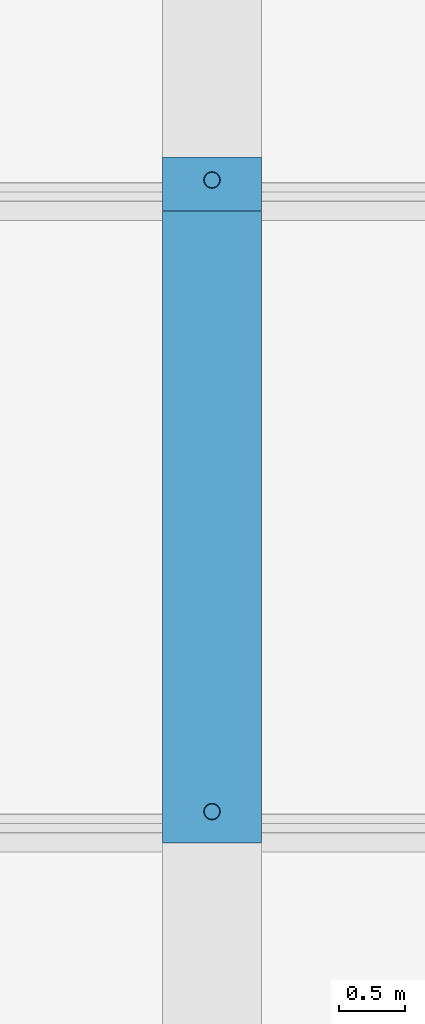
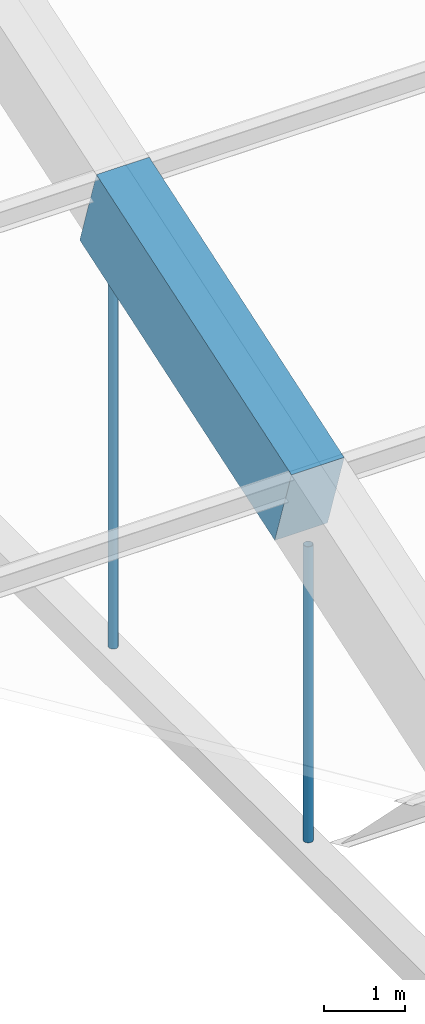
# One storey, part 12 of 149: 2 members, 1 beam.
"""IFC4 building model written with IfcOpenShell, lengths in metres."""

from ifc_helpers import new_model, si_unit, direction, frame, origin, origin_2d, place, context, subcontext, project, spatial, rectangle, hollow_circle, extrude, material, material_profile, profile_set, type_object, element, save


model = new_model("IFC4")

# Units and contexts
model_context = context("Model", 3, precision=1e-05, world=origin(), true_north=direction((0.0, 1.0)))
body_context = subcontext(model_context, "Body", "Model", "MODEL_VIEW")
ifc_project = project(units=[si_unit("LENGTHUNIT", "METRE"), si_unit("AREAUNIT", "SQUARE_METRE"), si_unit("VOLUMEUNIT", "CUBIC_METRE"), si_unit("PLANEANGLEUNIT", "RADIAN"), si_unit("MASSUNIT", "GRAM", prefix="KILO")], contexts=[model_context])

# Site, building, storey
site_placement = place(None, origin())
site = spatial("IfcSite", under=ifc_project, at=site_placement, CompositionType="ELEMENT")
building_placement = place(site_placement, origin())
building = spatial("IfcBuilding", under=site, at=building_placement, Name="Alderwick Market Hall", CompositionType="ELEMENT")
storey_placement = place(building_placement, frame((0.0, 0.0, 9.60009765625)))
storey = spatial("IfcBuildingStorey", under=building, at=storey_placement, Name="L01", CompositionType="ELEMENT", Elevation=9.60009765625)

# Beam
ifc_material_1 = material(Name="Concrete 5000 psi (f'c 35 MPa)", Category="concrete")
ifc_material_profile_1 = material_profile(ifc_material_1, rectangle(XDim=0.75, YDim=1.300048828125, at=origin_2d()), Name="RC 750x1300")
ifc_profile_set_1 = profile_set([ifc_material_profile_1], Name="Concrete 5000 psi (f'c 35 MPa)")
beam_type = type_object("IfcBeamType", Name="R Arch Rib Haunch 750x1300", PredefinedType="BEAM", material=ifc_profile_set_1)
beam_placement = place(storey_placement, frame((79.199951171875, 64.768310546875, 11.494873046875), z_axis=(0.0, 0.948692948114, 0.316198814353), x_axis=(-1.0, 0.0, 0.0)))
element("IfcBeam", 1, at=beam_placement, inside=storey, type_object=beam_type, Name="Arch rib 3 chord 4", PredefinedType="BEAM", context=body_context, shape_type="SweptSolid", body=[
    extrude(rectangle(XDim=0.75, YDim=1.300048828125, at=origin_2d()), origin(), (0.0, 0.0, 1.0), 5.0595703125),
])

# Members
ifc_material_2 = material(Name="Steel ASTM A500 Grade C", Category="steel")
ifc_material_profile_2 = material_profile(ifc_material_2, hollow_circle(Radius=0.0634765625, WallThickness=0.005859375, at=origin_2d()), Name="HSS5.000x0.250")
ifc_profile_set_2 = profile_set([ifc_material_profile_2], Name="Steel ASTM A500 Grade C")
member_type = type_object("IfcMemberType", Name="R Hanger HSS5.000x0.250", PredefinedType="POST", material=ifc_profile_set_2)
member_1_placement = place(storey_placement, frame((79.199951171875, 64.800048828125, 6.35302734375), z_axis=(0.0, 0.0, 1.0), x_axis=(1.0, 0.0, 0.0)))
element("IfcMember", 2, at=member_1_placement, inside=storey, type_object=member_type, Name="Arch hanger 3.3", PredefinedType="POST", context=body_context, shape_type="SweptSolid", body=[
    extrude(hollow_circle(Radius=0.0634765625, WallThickness=0.005859375, at=origin_2d()), origin(), (0.0, 0.0, 1.0), 4.446044921875),
])
member_2_placement = place(storey_placement, frame((79.199951171875, 69.60009765625, 6.35302734375), z_axis=(0.0, 0.0, 1.0), x_axis=(1.0, 0.0, 0.0)))
element("IfcMember", 3, at=member_2_placement, inside=storey, type_object=member_type, Name="Arch hanger 3.4", PredefinedType="POST", context=body_context, shape_type="SweptSolid", body=[
    extrude(hollow_circle(Radius=0.0634765625, WallThickness=0.005859375, at=origin_2d()), origin(), (0.0, 0.0, 1.0), 6.0458984375),
])

save(model, "model.ifc")
